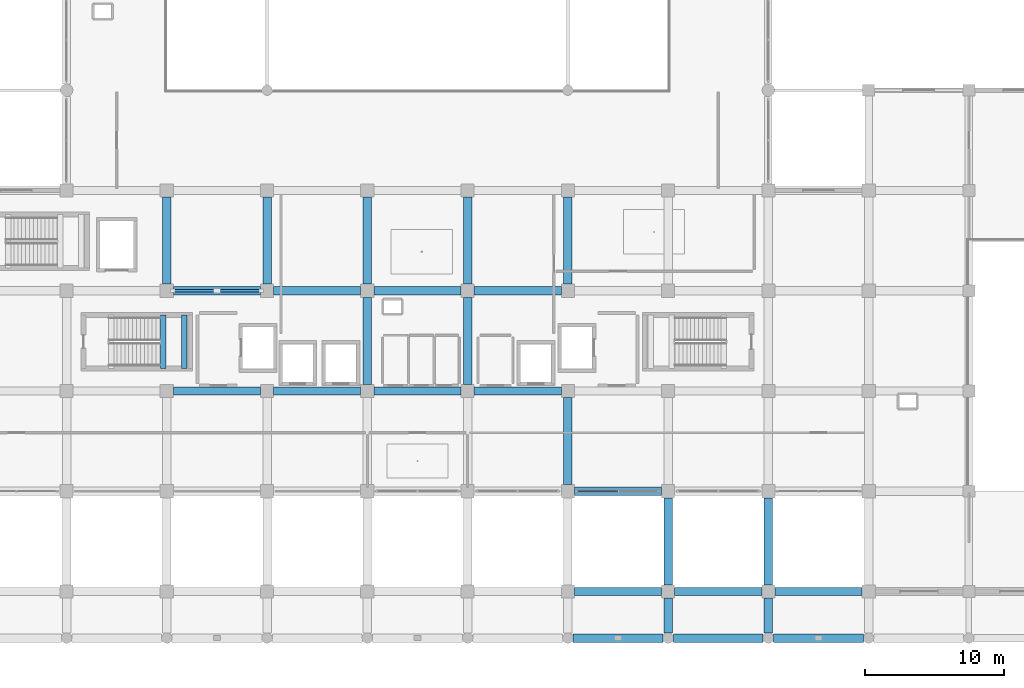
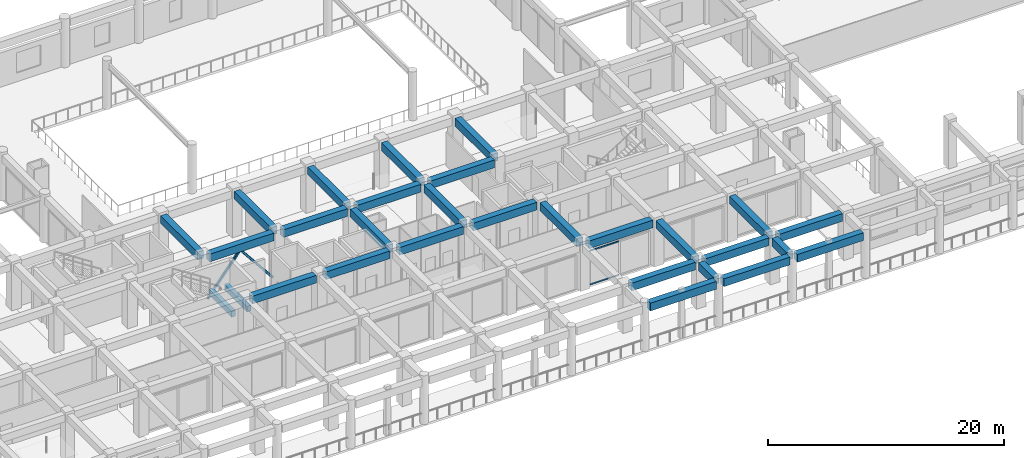
# One storey, part 14 of 54: 29 beams, 4 members, 1 element without a shape of its own.
"""IFC4 building model written with IfcOpenShell, lengths in metres."""

from ifc_helpers import new_model, si_unit, direction, frame, origin, origin_2d, place, context, subcontext, project, spatial, rectangle, hollow_rectangle, extrude, material, material_profile, profile_set, type_object, element, aggregate, save


model = new_model("IFC4")

# Units and contexts
model_context = context("Model", 3, precision=1e-05, world=origin(), true_north=direction((0.0, 1.0)))
body_context = subcontext(model_context, "Body", "Model", "MODEL_VIEW")
ifc_project = project(units=[si_unit("LENGTHUNIT", "METRE"), si_unit("AREAUNIT", "SQUARE_METRE"), si_unit("VOLUMEUNIT", "CUBIC_METRE"), si_unit("PLANEANGLEUNIT", "RADIAN"), si_unit("MASSUNIT", "GRAM", prefix="KILO")], contexts=[model_context])

# Site, building, storey
site_placement = place(None, origin())
site = spatial("IfcSite", under=ifc_project, at=site_placement, CompositionType="ELEMENT")
building_placement = place(site_placement, origin())
building = spatial("IfcBuilding", under=site, at=building_placement, Name="Kazehaya Institute of Natural Sciences", CompositionType="ELEMENT")
storey_placement = place(building_placement, frame((0.0, 0.0, 5.39990234375)))
storey = spatial("IfcBuildingStorey", under=building, at=storey_placement, Name="L01", CompositionType="ELEMENT", Elevation=5.39990234375)

# Beams
ifc_material_1 = material(Name="Concrete Fc36", Category="concrete")
ifc_material_profile_1 = material_profile(ifc_material_1, rectangle(XDim=0.39990234375, YDim=0.60009765625, at=origin_2d()), Name="RC-400x600")
ifc_profile_set_1 = profile_set([ifc_material_profile_1], Name="Concrete Fc36")
beam_type_1 = type_object("IfcBeamType", Name="BM-B-400x600", PredefinedType="BEAM", material=ifc_profile_set_1)
for number, where, z_axis, x_axis, name in (
    (1, (68.75, 22.820068359375, 2.06005859375), (0.0, 1.0, 0.0), (-1.0, 0.0, 0.0), "L01 ST-1 landing beam 1"),
    (2, (70.25, 22.820068359375, 2.06005859375), (0.0, 1.0, 0.0), (-1.0, 0.0, 0.0), "L01 ST-1 landing beam 2"),
):
    element("IfcBeam", number, at=place(storey_placement, frame(where, z_axis=z_axis, x_axis=x_axis)), inside=storey, type_object=beam_type_1, Name=name, PredefinedType="BEAM", context=body_context, shape_type="SweptSolid", body=[
        extrude(rectangle(XDim=0.39990234375, YDim=0.60009765625, at=origin_2d()), origin(), (0.0, 0.0, 1.0), 3.83984375),
    ])
ifc_material_profile_2 = material_profile(ifc_material_1, rectangle(XDim=0.60009765625, YDim=0.800048828125, at=origin_2d()), Name="RC-600x800")
ifc_profile_set_2 = profile_set([ifc_material_profile_2], Name="Concrete Fc36")
beam_type_2 = type_object("IfcBeamType", Name="BM-G-600x800", PredefinedType="BEAM", material=ifc_profile_set_2)
for number, where, z_axis, x_axis, name in (
    (3, (98.175048828125, 3.449951171875, 4.3701171875), (1.0, 0.0, 0.0), (0.0, 1.0, 0.0), "L01 primary X girder BMX-L01-978-34"),
    (4, (105.375, 3.449951171875, 4.3701171875), (1.0, 0.0, 0.0), (0.0, 1.0, 0.0), "L01 primary X girder BMX-L01-1050-34"),
    (5, (112.574951171875, 3.449951171875, 4.3701171875), (1.0, 0.0, 0.0), (0.0, 1.0, 0.0), "L01 primary X girder BMX-L01-1122-34"),
):
    element("IfcBeam", number, at=place(storey_placement, frame(where, z_axis=z_axis, x_axis=x_axis)), inside=storey, type_object=beam_type_2, Name=name, PredefinedType="BEAM", context=body_context, shape_type="SweptSolid", body=[
        extrude(rectangle(XDim=0.60009765625, YDim=0.800048828125, at=origin_2d()), origin(), (0.0, 0.0, 1.0), 6.449951171875),
    ])
for number, where, z_axis, x_axis, name in (
    (6, (98.27490234375, 6.800048828125, 4.3701171875), (1.0, 0.0, 0.0), (0.0, 1.0, 0.0), "L01 primary X girder BMX-L01-978-68"),
    (7, (105.47509765625, 6.800048828125, 4.3701171875), (1.0, 0.0, 0.0), (0.0, 1.0, 0.0), "L01 primary X girder BMX-L01-1050-68"),
    (8, (112.675048828125, 6.800048828125, 4.3701171875), (1.0, 0.0, 0.0), (0.0, 1.0, 0.0), "L01 primary X girder BMX-L01-1122-68"),
    (9, (98.27490234375, 14.0, 4.3701171875), (1.0, 0.0, 0.0), (0.0, 1.0, 0.0), "L01 primary X girder BMX-L01-978-140"),
    (10, (69.47509765625, 21.199951171875, 4.3701171875), (1.0, 0.0, 0.0), (0.0, 1.0, 0.0), "L01 primary X girder BMX-L01-690-212"),
    (11, (76.675048828125, 21.199951171875, 4.3701171875), (1.0, 0.0, 0.0), (0.0, 1.0, 0.0), "L01 primary X girder BMX-L01-762-212"),
    (12, (83.875, 21.199951171875, 4.3701171875), (1.0, 0.0, 0.0), (0.0, 1.0, 0.0), "L01 primary X girder BMX-L01-834-212"),
    (13, (91.074951171875, 21.199951171875, 4.3701171875), (1.0, 0.0, 0.0), (0.0, 1.0, 0.0), "L01 primary X girder BMX-L01-906-212"),
    (14, (69.47509765625, 28.39990234375, 4.3701171875), (1.0, 0.0, 0.0), (0.0, 1.0, 0.0), "L01 primary X girder BMX-L01-690-284"),
    (15, (76.675048828125, 28.39990234375, 4.3701171875), (1.0, 0.0, 0.0), (0.0, 1.0, 0.0), "L01 primary X girder BMX-L01-762-284"),
    (16, (83.875, 28.39990234375, 4.3701171875), (1.0, 0.0, 0.0), (0.0, 1.0, 0.0), "L01 primary X girder BMX-L01-834-284"),
    (17, (91.074951171875, 28.39990234375, 4.3701171875), (1.0, 0.0, 0.0), (0.0, 1.0, 0.0), "L01 primary X girder BMX-L01-906-284"),
    (18, (69.0, 28.875, 4.3701171875), (0.0, 1.0, 0.0), (-1.0, 0.0, 0.0), "L01 primary Y girder BMY-L01-690-284"),
    (19, (76.199951171875, 28.875, 4.3701171875), (0.0, 1.0, 0.0), (-1.0, 0.0, 0.0), "L01 primary Y girder BMY-L01-762-284"),
    (20, (83.39990234375, 21.675048828125, 4.3701171875), (0.0, 1.0, 0.0), (-1.0, 0.0, 0.0), "L01 primary Y girder BMY-L01-834-212"),
    (21, (83.39990234375, 28.875, 4.3701171875), (0.0, 1.0, 0.0), (-1.0, 0.0, 0.0), "L01 primary Y girder BMY-L01-834-284"),
    (22, (90.60009765625, 21.675048828125, 4.3701171875), (0.0, 1.0, 0.0), (-1.0, 0.0, 0.0), "L01 primary Y girder BMY-L01-906-212"),
    (23, (90.60009765625, 28.875, 4.3701171875), (0.0, 1.0, 0.0), (-1.0, 0.0, 0.0), "L01 primary Y girder BMY-L01-906-284"),
    (24, (97.800048828125, 14.47509765625, 4.3701171875), (0.0, 1.0, 0.0), (-1.0, 0.0, 0.0), "L01 primary Y girder BMY-L01-978-140"),
    (25, (97.800048828125, 28.875, 4.3701171875), (0.0, 1.0, 0.0), (-1.0, 0.0, 0.0), "L01 primary Y girder BMY-L01-978-284"),
):
    element("IfcBeam", number, at=place(storey_placement, frame(where, z_axis=z_axis, x_axis=x_axis)), inside=storey, type_object=beam_type_2, Name=name, PredefinedType="BEAM", context=body_context, shape_type="SweptSolid", body=[
        extrude(rectangle(XDim=0.60009765625, YDim=0.800048828125, at=origin_2d()), origin(), (0.0, 0.0, 1.0), 6.25),
    ])
beam_1_placement = place(storey_placement, frame((105.0, 3.824951171875, 4.3701171875), z_axis=(0.0, 1.0, 0.0), x_axis=(-1.0, 0.0, 0.0)))
element("IfcBeam", 26, at=beam_1_placement, inside=storey, type_object=beam_type_2, Name="L01 primary Y girder BMY-L01-1050-34", PredefinedType="BEAM", context=body_context, shape_type="SweptSolid", body=[
    extrude(rectangle(XDim=0.60009765625, YDim=0.800048828125, at=origin_2d()), origin(), (0.0, 0.0, 1.0), 2.5),
])
beam_2_placement = place(storey_placement, frame((105.0, 7.27490234375, 4.3701171875), z_axis=(0.0, 1.0, 0.0), x_axis=(-1.0, 0.0, 0.0)))
element("IfcBeam", 27, at=beam_2_placement, inside=storey, type_object=beam_type_2, Name="L01 primary Y girder BMY-L01-1050-68", PredefinedType="BEAM", context=body_context, shape_type="SweptSolid", body=[
    extrude(rectangle(XDim=0.60009765625, YDim=0.800048828125, at=origin_2d()), origin(), (0.0, 0.0, 1.0), 6.25),
])
beam_3_placement = place(storey_placement, frame((112.199951171875, 3.824951171875, 4.3701171875), z_axis=(0.0, 1.0, 0.0), x_axis=(-1.0, 0.0, 0.0)))
element("IfcBeam", 28, at=beam_3_placement, inside=storey, type_object=beam_type_2, Name="L01 primary Y girder BMY-L01-1122-34", PredefinedType="BEAM", context=body_context, shape_type="SweptSolid", body=[
    extrude(rectangle(XDim=0.60009765625, YDim=0.800048828125, at=origin_2d()), origin(), (0.0, 0.0, 1.0), 2.5),
])
beam_4_placement = place(storey_placement, frame((112.199951171875, 7.27490234375, 4.3701171875), z_axis=(0.0, 1.0, 0.0), x_axis=(-1.0, 0.0, 0.0)))
element("IfcBeam", 29, at=beam_4_placement, inside=storey, type_object=beam_type_2, Name="L01 primary Y girder BMY-L01-1122-68", PredefinedType="BEAM", context=body_context, shape_type="SweptSolid", body=[
    extrude(rectangle(XDim=0.60009765625, YDim=0.800048828125, at=origin_2d()), origin(), (0.0, 0.0, 1.0), 6.25),
])

# Curtain wall, members
ifc_material_2 = material(Name="Aluminium alloy A6063S-T5", Category="aluminium")
curtain_wall_type = type_object("IfcCurtainWallType", Name="CW-SYS-02", PredefinedType="NOTDEFINED", material=ifc_material_2)
curtain_wall_placement = place(storey_placement, origin())
curtain_wall = element("IfcCurtainWall", 30, at=curtain_wall_placement, inside=storey, type_object=curtain_wall_type, Name="L01 unitised curtain wall CW-L01-041", PredefinedType="NOTDEFINED")
ifc_material_profile_3 = material_profile(ifc_material_2, hollow_rectangle(XDim=0.06005859375, YDim=0.139892578125, WallThickness=0.00341796875, at=origin_2d()), Name="ALU-60x140x3.5")
ifc_profile_set_3 = profile_set([ifc_material_profile_3], Name="Aluminium alloy A6063S-T5")
member_type_1 = type_object("IfcMemberType", Name="CWT-140", PredefinedType="USERDEFINED", material=ifc_profile_set_3)
member_1_placement = place(storey_placement, frame((101.3701171875, 14.0, 0.030029296875), z_axis=(-1.0, 0.0, 0.0), x_axis=(0.0, -1.0, 0.0)))
member_1 = element("IfcMember", 31, at=member_1_placement, type_object=member_type_1, Name="CW02 transom 2.1", ObjectType="TRANSOM", PredefinedType="USERDEFINED", context=body_context, shape_type="SweptSolid", body=[
    extrude(hollow_rectangle(XDim=0.06005859375, YDim=0.139892578125, WallThickness=0.00341796875, at=origin_2d()), origin(), (0.0, 0.0, 1.0), 2.8701171875),
])
member_2_placement = place(storey_placement, frame((101.3701171875, 14.0, 3.510009765625), z_axis=(-1.0, 0.0, 0.0), x_axis=(0.0, -1.0, 0.0)))
member_2 = element("IfcMember", 32, at=member_2_placement, type_object=member_type_1, Name="CW02 transom 2.2", ObjectType="TRANSOM", PredefinedType="USERDEFINED", context=body_context, shape_type="SweptSolid", body=[
    extrude(hollow_rectangle(XDim=0.06005859375, YDim=0.139892578125, WallThickness=0.00341796875, at=origin_2d()), origin(), (0.0, 0.0, 1.0), 2.8701171875),
])
aggregate(curtain_wall, [member_1, member_2])

# Members
ifc_material_3 = material(Name="Structural steel BCR295", Category="steel")
ifc_material_profile_4 = material_profile(ifc_material_3, hollow_rectangle(XDim=0.199951171875, YDim=0.199951171875, WallThickness=0.009033203125, InnerFilletRadius=0.012939453125, OuterFilletRadius=0.02197265625, at=origin_2d()), Name="BCR-200x200x9")
ifc_profile_set_4 = profile_set([ifc_material_profile_4], Name="Structural steel BCR295")
member_type_2 = type_object("IfcMemberType", Name="MEM-BR-BCR200", PredefinedType="BRACE", material=ifc_profile_set_4)
member_3_placement = place(storey_placement, frame((69.419921875, 28.39990234375, 0.010009765625), z_axis=(0.626136027537, 0.0, 0.779713841753), x_axis=(0.0, 1.0, 0.0)))
element("IfcMember", 33, at=member_3_placement, inside=storey, type_object=member_type_2, Name="L01 core spine seismic brace 3", PredefinedType="BRACE", context=body_context, shape_type="SweptSolid", body=[
    extrude(hollow_rectangle(XDim=0.199951171875, YDim=0.199951171875, WallThickness=0.009033203125, InnerFilletRadius=0.012939453125, OuterFilletRadius=0.02197265625, at=origin_2d()), origin(), (0.0, 0.0, 1.0), 5.0791015625),
])
member_4_placement = place(storey_placement, frame((75.780029296875, 28.39990234375, 0.010009765625), z_axis=(-0.626106802995, 0.0, 0.779737309127), x_axis=(0.0, -1.0, 0.0)))
element("IfcMember", 34, at=member_4_placement, inside=storey, type_object=member_type_2, Name="L01 core spine seismic brace 4", PredefinedType="BRACE", context=body_context, shape_type="SweptSolid", body=[
    extrude(hollow_rectangle(XDim=0.199951171875, YDim=0.199951171875, WallThickness=0.009033203125, InnerFilletRadius=0.012939453125, OuterFilletRadius=0.02197265625, at=origin_2d()), origin(), (0.0, 0.0, 1.0), 5.078857421875),
])

save(model, "model.ifc")
